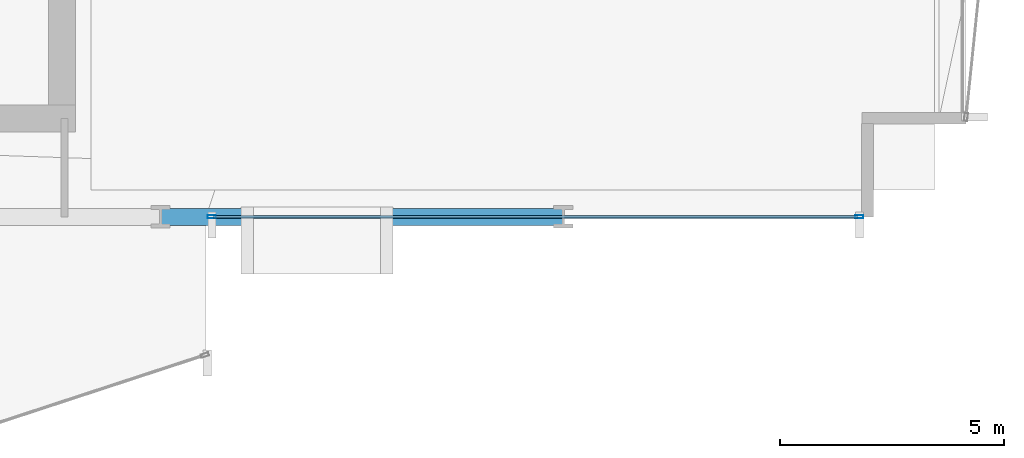
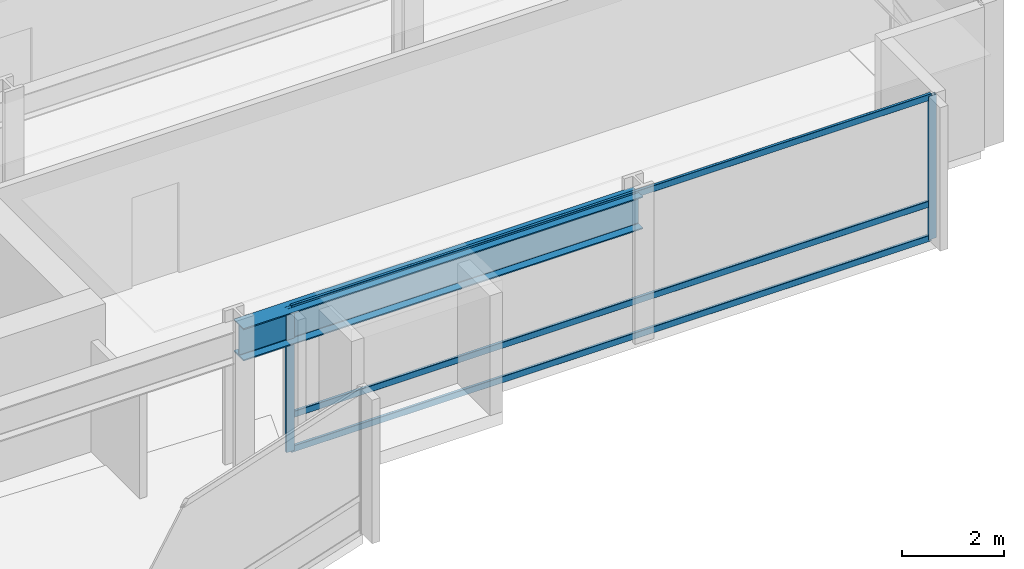
# One storey, part 12 of 34: 5 members, 1 beam, 1 element without a shape of its own.
"""IFC4 building model written with IfcOpenShell, lengths in metres."""

from ifc_helpers import new_model, si_unit, direction, frame, origin, origin_2d, place, context, subcontext, project, spatial, hollow_rectangle, i_section, extrude, material, layer, layer_set, material_profile, profile_set, type_object, element, aggregate, save


model = new_model("IFC4")

# Units and contexts
model_context = context("Model", 3, precision=1e-05, world=origin(), true_north=direction((0.0, 1.0)))
body_context = subcontext(model_context, "Body", "Model", "MODEL_VIEW")
ifc_project = project(units=[si_unit("LENGTHUNIT", "METRE"), si_unit("AREAUNIT", "SQUARE_METRE"), si_unit("VOLUMEUNIT", "CUBIC_METRE"), si_unit("PLANEANGLEUNIT", "RADIAN"), si_unit("MASSUNIT", "GRAM", prefix="KILO")], contexts=[model_context])

# Site, building, storey
site_placement = place(None, origin())
site = spatial("IfcSite", under=ifc_project, at=site_placement, CompositionType="ELEMENT")
building_placement = place(site_placement, origin())
building = spatial("IfcBuilding", under=site, at=building_placement, Name="Solvaryn Broadcast Tower", CompositionType="ELEMENT")
storey_placement = place(building_placement, frame((0.0, 0.0, 39.699951171875)))
storey = spatial("IfcBuildingStorey", under=building, at=storey_placement, Name="L08", CompositionType="ELEMENT", Elevation=39.699951171875)

# Beam
ifc_material_1 = material(Name="Steel ASTM A992 Grade 50", Category="steel")
ifc_material_profile_1 = material_profile(ifc_material_1, i_section(OverallWidth=0.381103515625, OverallDepth=0.77294921875, WebThickness=0.0166015625, FlangeThickness=0.027099609375, FilletRadius=0.01806640625, at=origin_2d()))
ifc_profile_set_1 = profile_set([ifc_material_profile_1], Name="Steel ASTM A992 Grade 50")
beam_type = type_object("IfcBeamType", Name="BM-SP1-W30X173", PredefinedType="USERDEFINED", material=ifc_profile_set_1)
beam_placement = place(storey_placement, frame((45.0, 9.0, 3.033447265625), z_axis=(1.0, 0.0, 0.0), x_axis=(0.0, 1.0, 0.0)))
element("IfcBeam", 1, at=beam_placement, inside=storey, type_object=beam_type, Name="L08 Spandrel Beam X (45-54 @ Y=9)", ObjectType="SPANDREL", PredefinedType="USERDEFINED", context=body_context, shape_type="SweptSolid", body=[
    extrude(i_section(OverallWidth=0.381103515625, OverallDepth=0.77294921875, WebThickness=0.0166015625, FlangeThickness=0.027099609375, FilletRadius=0.01806640625, at=origin_2d()), origin(), (0.0, 0.0, 1.0), 9.0),
])

# Curtain wall, members
ifc_material_2 = material(Name="Aluminium and Terracotta Unitised Curtain Wall", Category="masonry")
ifc_layer = layer(ifc_material_2, 0.199951171875)
ifc_layer_set = layer_set([ifc_layer], Name="CW-SYS2-LOWMID")
curtain_wall_type = type_object("IfcCurtainWallType", Name="CW-SYS2-LOWMID", PredefinedType="NOTDEFINED", material=ifc_layer_set)
curtain_wall_placement = place(storey_placement, origin())
curtain_wall = element("IfcCurtainWall", 2, at=curtain_wall_placement, inside=storey, type_object=curtain_wall_type, Name="L08 Curtain Wall S2", PredefinedType="NOTDEFINED")
ifc_material_3 = material(Name="Anodised Aluminium 6063-T6", Category="aluminium")
ifc_material_profile_2 = material_profile(ifc_material_3, hollow_rectangle(XDim=0.074951171875, YDim=0.179931640625, WallThickness=0.00390625, InnerFilletRadius=0.00390625, OuterFilletRadius=0.008056640625, at=origin_2d()))
ifc_profile_set_2 = profile_set([ifc_material_profile_2], Name="Anodised Aluminium 6063-T6")
member_type_1 = type_object("IfcMemberType", Name="CW-MUL-180", PredefinedType="MULLION", material=ifc_profile_set_2)
member_1_placement = place(storey_placement, frame((46.14599609375, 9.0, 0.0), z_axis=(0.0, 0.0, 1.0), x_axis=(0.0, 1.0, 0.0)))
member_1 = element("IfcMember", 3, at=member_1_placement, type_object=member_type_1, Name="CWS2 mullion 1", PredefinedType="MULLION", context=body_context, shape_type="SweptSolid", body=[
    extrude(hollow_rectangle(XDim=0.074951171875, YDim=0.179931640625, WallThickness=0.00390625, InnerFilletRadius=0.00390625, OuterFilletRadius=0.008056640625, at=origin_2d()), origin(), (0.0, 0.0, 1.0), 3.420166015625),
])
member_2_placement = place(storey_placement, frame((60.6201171875, 9.0, 0.0), z_axis=(0.0, 0.0, 1.0), x_axis=(0.0, 1.0, 0.0)))
member_2 = element("IfcMember", 4, at=member_2_placement, type_object=member_type_1, Name="CWS2 mullion 2", PredefinedType="MULLION", context=body_context, shape_type="SweptSolid", body=[
    extrude(hollow_rectangle(XDim=0.074951171875, YDim=0.179931640625, WallThickness=0.00390625, InnerFilletRadius=0.00390625, OuterFilletRadius=0.008056640625, at=origin_2d()), origin(), (0.0, 0.0, 1.0), 3.420166015625),
])
ifc_material_4 = material(Name="Anodised Aluminium 6063-T6", Category="aluminium")
ifc_material_profile_3 = material_profile(ifc_material_4, hollow_rectangle(XDim=0.06494140625, YDim=0.14990234375, WallThickness=0.00390625, InnerFilletRadius=0.00390625, OuterFilletRadius=0.008056640625, at=origin_2d()))
ifc_profile_set_3 = profile_set([ifc_material_profile_3], Name="Anodised Aluminium 6063-T6")
member_type_2 = type_object("IfcMemberType", Name="CW-TRN-150", PredefinedType="USERDEFINED", material=ifc_profile_set_3)
member_3_placement = place(storey_placement, frame((46.176025390625, 9.0, 0.030029296875), z_axis=(1.0, 0.0, 0.0), x_axis=(0.0, 1.0, 0.0)))
member_3 = element("IfcMember", 5, at=member_3_placement, type_object=member_type_2, Name="CWS2 transom 1.1", ObjectType="TRANSOM", PredefinedType="USERDEFINED", context=body_context, shape_type="SweptSolid", body=[
    extrude(hollow_rectangle(XDim=0.06494140625, YDim=0.14990234375, WallThickness=0.00390625, InnerFilletRadius=0.00390625, OuterFilletRadius=0.008056640625, at=origin_2d()), origin(), (0.0, 0.0, 1.0), 14.4140625),
])
member_4_placement = place(storey_placement, frame((46.176025390625, 9.0, 0.85009765625), z_axis=(1.0, 0.0, 0.0), x_axis=(0.0, 1.0, 0.0)))
member_4 = element("IfcMember", 6, at=member_4_placement, type_object=member_type_2, Name="CWS2 transom 1.2", ObjectType="TRANSOM", PredefinedType="USERDEFINED", context=body_context, shape_type="SweptSolid", body=[
    extrude(hollow_rectangle(XDim=0.06494140625, YDim=0.14990234375, WallThickness=0.00390625, InnerFilletRadius=0.00390625, OuterFilletRadius=0.008056640625, at=origin_2d()), origin(), (0.0, 0.0, 1.0), 14.4140625),
])
member_5_placement = place(storey_placement, frame((46.176025390625, 9.0, 3.39013671875), z_axis=(1.0, 0.0, 0.0), x_axis=(0.0, 1.0, 0.0)))
member_5 = element("IfcMember", 7, at=member_5_placement, type_object=member_type_2, Name="CWS2 transom 1.3", ObjectType="TRANSOM", PredefinedType="USERDEFINED", context=body_context, shape_type="SweptSolid", body=[
    extrude(hollow_rectangle(XDim=0.06494140625, YDim=0.14990234375, WallThickness=0.00390625, InnerFilletRadius=0.00390625, OuterFilletRadius=0.008056640625, at=origin_2d()), origin(), (0.0, 0.0, 1.0), 14.4140625),
])
aggregate(curtain_wall, [member_1, member_2, member_3, member_4, member_5])

save(model, "model.ifc")
